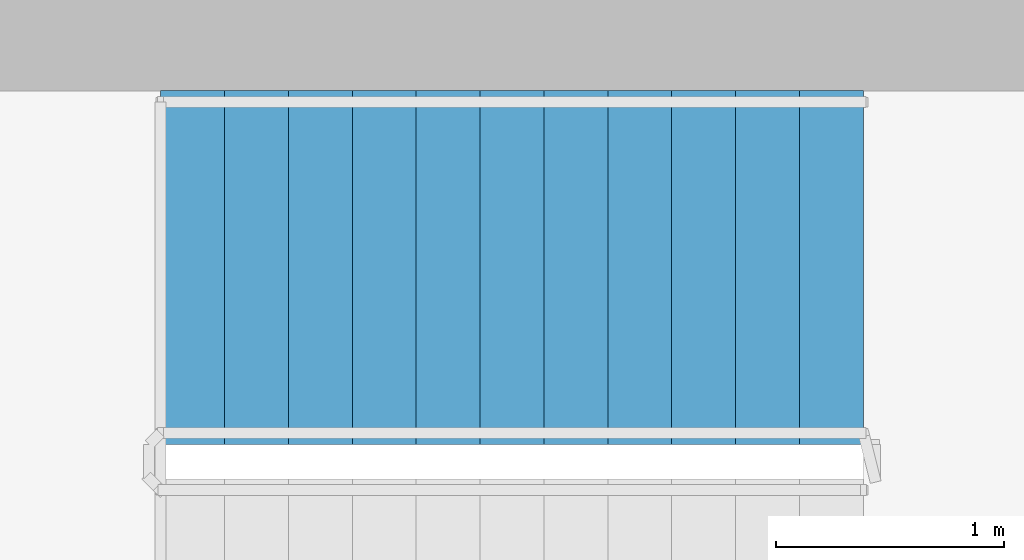
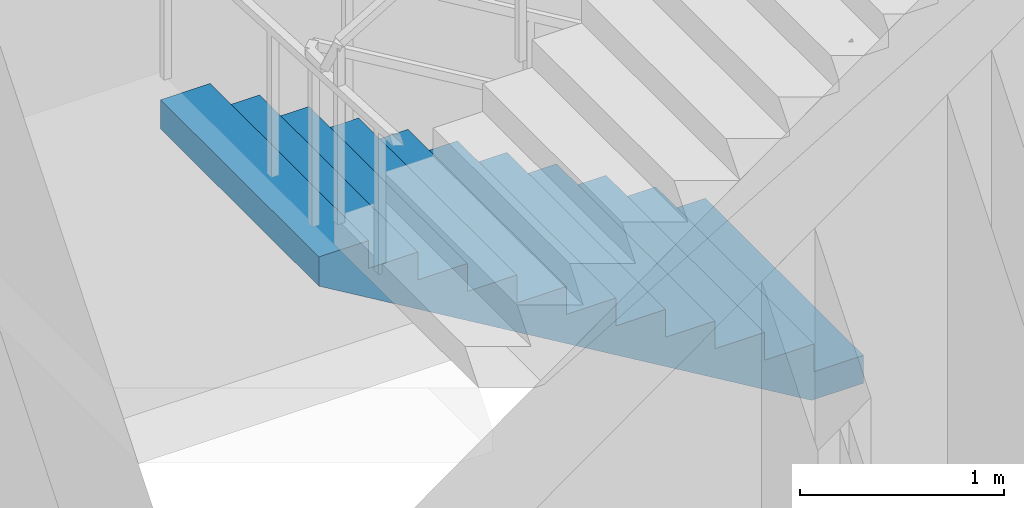
# One storey, part 8 of 17: 1 stair flight, 1 element without a shape of its own.
"""IFC4 building model written with IfcOpenShell, lengths in metres."""

from ifc_helpers import new_model, si_unit, direction, frame, origin, place, context, subcontext, project, spatial, polyline, outline, extrude, material, type_object, element, aggregate, save


model = new_model("IFC4")

# Units and contexts
model_context = context("Model", 3, precision=1e-05, world=origin(), true_north=direction((0.0, 1.0)))
body_context = subcontext(model_context, "Body", "Model", "MODEL_VIEW")
ifc_project = project(units=[si_unit("LENGTHUNIT", "METRE"), si_unit("AREAUNIT", "SQUARE_METRE"), si_unit("VOLUMEUNIT", "CUBIC_METRE"), si_unit("PLANEANGLEUNIT", "RADIAN"), si_unit("MASSUNIT", "GRAM", prefix="KILO")], contexts=[model_context])

# Site, building, storey
site_placement = place(None, origin())
site = spatial("IfcSite", under=ifc_project, at=site_placement, CompositionType="ELEMENT")
building_placement = place(site_placement, origin())
building = spatial("IfcBuilding", under=site, at=building_placement, Name="Noorbagh Ring Tower", CompositionType="ELEMENT")
storey_placement = place(building_placement, frame((0.0, 0.0, 269.5)))
storey = spatial("IfcBuildingStorey", under=building, at=storey_placement, Name="L57", CompositionType="ELEMENT", Elevation=269.5)

# Stair, stair flight
ifc_material_1 = material(Name="Concrete C40/50", Category="concrete")
stair_type = type_object("IfcStairType", Name="CORE-STAIR", PredefinedType="HALF_TURN_STAIR", material=ifc_material_1)
stair_placement = place(storey_placement, origin())
stair = element("IfcStair", 1, at=stair_placement, inside=storey, type_object=stair_type, Name="L57 Exit stair ST3", PredefinedType="HALF_TURN_STAIR")
ifc_material_2 = material(Name="Concrete C40/50", Category="concrete")
stair_flight_type = type_object("IfcStairFlightType", Name="CORE-STAIR-FLIGHT", PredefinedType="STRAIGHT", material=ifc_material_2)
stair_flight_placement = place(storey_placement, frame((21.530029296875, 7.22509765625, 0.0), z_axis=(0.0, 0.0, 1.0), x_axis=(-1.0, 0.0, 0.0)))
stair_flight = element("IfcStairFlight", 2, at=stair_flight_placement, type_object=stair_flight_type, Name="ST3 flight 1", NumberOfRisers=12, NumberOfTreads=11, PredefinedType="STRAIGHT", RiserHeight=0.166666667, TreadLength=0.28, context=body_context, shape_type="SweptSolid", body=[
    extrude(outline(polyline([(0.0, 0.0), (0.0, 0.166748046875), (0.280029296875, 0.166748046875), (0.280029296875, 0.333251953125), (0.56005859375, 0.333251953125), (0.56005859375, 0.5), (0.840087890625, 0.5), (0.840087890625, 0.666748046875), (1.1201171875, 0.666748046875), (1.1201171875, 0.833251953125), (1.39990234375, 0.833251953125), (1.39990234375, 1.0), (1.679931640625, 1.0), (1.679931640625, 1.166748046875), (1.9599609375, 1.166748046875), (1.9599609375, 1.333251953125), (2.239990234375, 1.333251953125), (2.239990234375, 1.5), (2.52001953125, 1.5), (2.52001953125, 1.666748046875), (2.800048828125, 1.666748046875), (2.800048828125, 1.833251953125), (3.080078125, 1.833251953125), (3.080078125, 2.0), (3.080078125, 1.658935546875), (0.29296875, 0.0), (0.0, 0.0)])), frame((0.0, 0.77490234375, 0.0), z_axis=(0.0, -1.0, 0.0), x_axis=(1.0, 0.0, 0.0)), (0.0, 0.0, 1.0), 1.550048828125),
])
aggregate(stair, [stair_flight])

save(model, "model.ifc")
